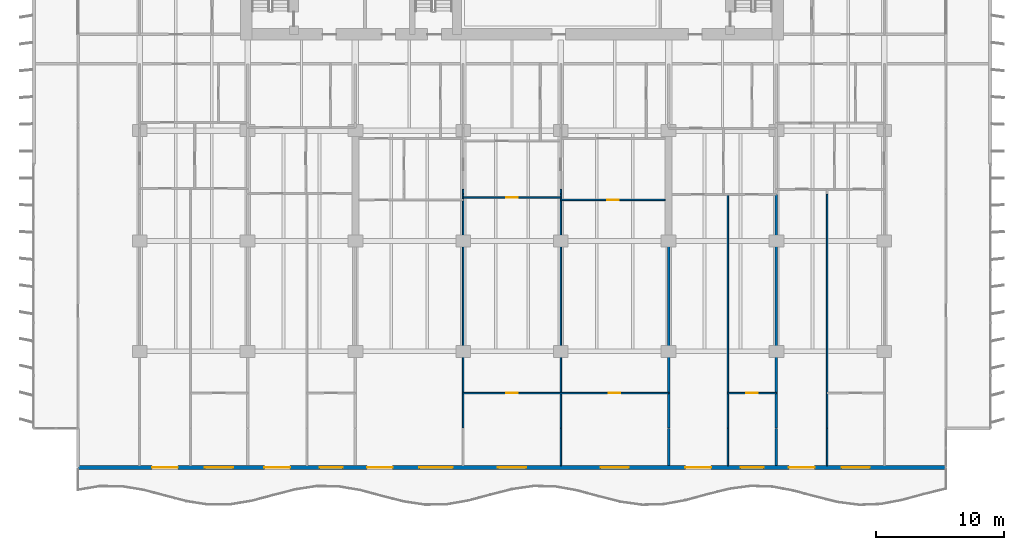
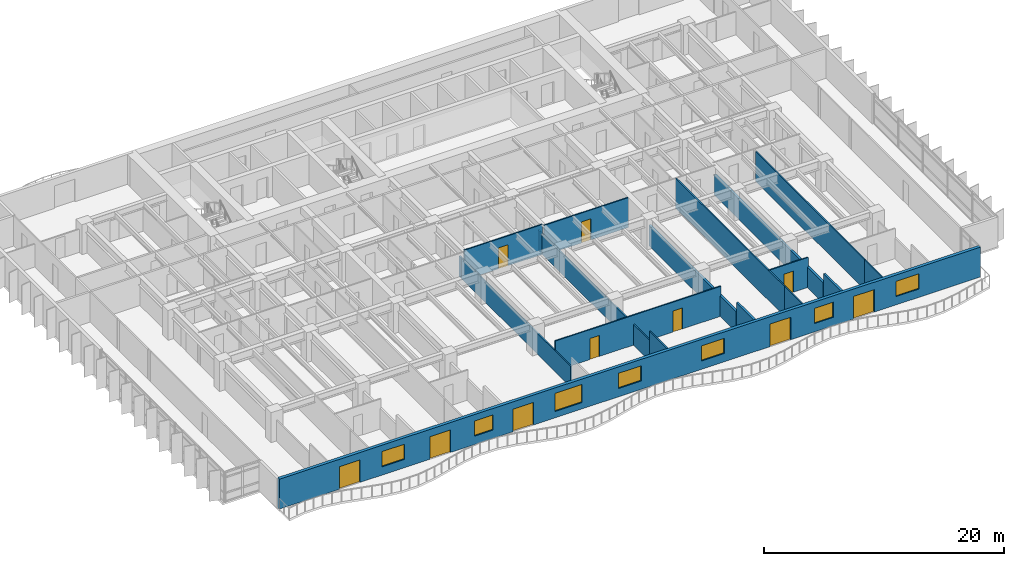
# One storey, part 8 of 17: 18 walls, 10 doors, 7 windows, 17 openings.
"""IFC4 building model written with IfcOpenShell, lengths in metres."""

from ifc_helpers import new_model, si_unit, direction, frame, frame_2d, origin, place, context, subcontext, project, spatial, rectangle, extrude, material, layer, layer_set, type_object, element, fill, save


model = new_model("IFC4")

# Units and contexts
model_context = context("Model", 3, precision=1e-05, world=origin(), true_north=direction((0.0, 1.0)))
body_context = subcontext(model_context, "Body", "Model", "MODEL_VIEW")
ifc_project = project(units=[si_unit("LENGTHUNIT", "METRE"), si_unit("AREAUNIT", "SQUARE_METRE"), si_unit("VOLUMEUNIT", "CUBIC_METRE"), si_unit("PLANEANGLEUNIT", "RADIAN"), si_unit("MASSUNIT", "GRAM", prefix="KILO")], contexts=[model_context])

# Site, building, storey
site_placement = place(None, origin())
site = spatial("IfcSite", under=ifc_project, at=site_placement, CompositionType="ELEMENT")
building_placement = place(site_placement, origin())
building = spatial("IfcBuilding", under=site, at=building_placement, Name="Caelmar Bay Residences", CompositionType="ELEMENT")
storey_placement = place(building_placement, frame((0.0, 0.0, 49.800048828125)))
storey = spatial("IfcBuildingStorey", under=building, at=storey_placement, Name="L12", CompositionType="ELEMENT", Elevation=49.800048828125)

# Wall, openings, doors, windows
ifc_material_1 = material(Name="Precast concrete f'c 40 MPa (6,000 psi)", Category="concrete")
ifc_layer_1 = layer(ifc_material_1, 0.300048828125)
ifc_layer_set_1 = layer_set([ifc_layer_1], Name="Precast concrete f'c 40 MPa (6,000 psi)")
wall_type_1 = type_object("IfcWallType", Name="W-EXT-300", PredefinedType="STANDARD", material=ifc_layer_set_1)
wall_1_placement = place(storey_placement, frame((72.699951171875, 3.14990234375, 0.0), z_axis=(0.0, 0.0, 1.0), x_axis=(-1.0, 0.0, 0.0)))
wall_1 = element("IfcWall", 1, at=wall_1_placement, inside=storey, type_object=wall_type_1, Name="L12 South Bayfront Exterior Wall", PredefinedType="STANDARD", context=body_context, shape_type="SweptSolid", body=[
    extrude(rectangle(XDim=67.599853515625, YDim=0.300048828125, at=frame_2d((33.7998046875, 0.0))), origin(), (0.0, 0.0, 1.0), 3.050048828125),
])
opening_1_placement = place(wall_1_placement, frame((59.825927734375, 0.0, 0.0)))
opening_1 = element("IfcOpeningElement", 2, at=opening_1_placement, cuts=wall_1, Name="Opening L12-BD01", PredefinedType="OPENING", context=body_context, shape_type="SweptSolid", body=[
    extrude(rectangle(XDim=2.0, YDim=2.300048828125, at=frame_2d((1.0, 1.14990234375))), frame((0.0, 0.159912109375, 0.0), z_axis=(0.0, -1.0, 0.0), x_axis=(1.0, 0.0, 0.0)), (0.0, 0.0, 1.0), 0.320068359375),
])
opening_2_placement = place(wall_1_placement, frame((55.52587890625, 0.0, 0.85009765625)))
opening_2 = element("IfcOpeningElement", 3, at=opening_2_placement, cuts=wall_1, Name="Opening WN2", PredefinedType="OPENING", context=body_context, shape_type="SweptSolid", body=[
    extrude(rectangle(XDim=2.199951171875, YDim=1.550048828125, at=frame_2d((1.10009765625, 0.77490234375))), frame((0.0, 0.159912109375, 0.0), z_axis=(0.0, -1.0, 0.0), x_axis=(1.0, 0.0, 0.0)), (0.0, 0.0, 1.0), 0.320068359375),
])
opening_3_placement = place(wall_1_placement, frame((51.090087890625, 0.0, 0.0)))
opening_3 = element("IfcOpeningElement", 4, at=opening_3_placement, cuts=wall_1, Name="Opening L12-BD02", PredefinedType="OPENING", context=body_context, shape_type="SweptSolid", body=[
    extrude(rectangle(XDim=2.0, YDim=2.300048828125, at=frame_2d((1.0, 1.14990234375))), frame((0.0, 0.159912109375, 0.0), z_axis=(0.0, -1.0, 0.0), x_axis=(1.0, 0.0, 0.0)), (0.0, 0.0, 1.0), 0.320068359375),
])
opening_4_placement = place(wall_1_placement, frame((46.989990234375, 0.0, 0.85009765625)))
opening_4 = element("IfcOpeningElement", 5, at=opening_4_placement, cuts=wall_1, Name="Opening WN1", PredefinedType="OPENING", context=body_context, shape_type="SweptSolid", body=[
    extrude(rectangle(XDim=1.800048828125, YDim=1.550048828125, at=frame_2d((0.89990234375, 0.77490234375))), frame((0.0, 0.159912109375, 0.0), z_axis=(0.0, -1.0, 0.0), x_axis=(1.0, 0.0, 0.0)), (0.0, 0.0, 1.0), 0.320068359375),
])
opening_5_placement = place(wall_1_placement, frame((43.090087890625, 0.0, 0.0)))
opening_5 = element("IfcOpeningElement", 6, at=opening_5_placement, cuts=wall_1, Name="Opening L12-BD03", PredefinedType="OPENING", context=body_context, shape_type="SweptSolid", body=[
    extrude(rectangle(XDim=2.0, YDim=2.300048828125, at=frame_2d((1.0, 1.14990234375))), frame((0.0, 0.159912109375, 0.0), z_axis=(0.0, -1.0, 0.0), x_axis=(1.0, 0.0, 0.0)), (0.0, 0.0, 1.0), 0.320068359375),
])
opening_6_placement = place(wall_1_placement, frame((38.409912109375, 0.0, 0.64990234375)))
opening_6 = element("IfcOpeningElement", 7, at=opening_6_placement, cuts=wall_1, Name="Opening WN3", PredefinedType="OPENING", context=body_context, shape_type="SweptSolid", body=[
    extrude(rectangle(XDim=2.60009765625, YDim=1.85009765625, at=frame_2d((1.300048828125, 0.925048828125))), frame((0.0, 0.159912109375, 0.0), z_axis=(0.0, -1.0, 0.0), x_axis=(1.0, 0.0, 0.0)), (0.0, 0.0, 1.0), 0.320068359375),
])
opening_7_placement = place(wall_1_placement, frame((32.699951171875, 0.0, 0.85009765625)))
opening_7 = element("IfcOpeningElement", 8, at=opening_7_placement, cuts=wall_1, Name="Opening WN2", PredefinedType="OPENING", context=body_context, shape_type="SweptSolid", body=[
    extrude(rectangle(XDim=2.199951171875, YDim=1.550048828125, at=frame_2d((1.10009765625, 0.77490234375))), frame((0.0, 0.159912109375, 0.0), z_axis=(0.0, -1.0, 0.0), x_axis=(1.0, 0.0, 0.0)), (0.0, 0.0, 1.0), 0.320068359375),
])
opening_8_placement = place(wall_1_placement, frame((24.699951171875, 0.0, 0.85009765625)))
opening_8 = element("IfcOpeningElement", 9, at=opening_8_placement, cuts=wall_1, Name="Opening WN2", PredefinedType="OPENING", context=body_context, shape_type="SweptSolid", body=[
    extrude(rectangle(XDim=2.199951171875, YDim=1.550048828125, at=frame_2d((1.10009765625, 0.77490234375))), frame((0.0, 0.159912109375, 0.0), z_axis=(0.0, -1.0, 0.0), x_axis=(1.0, 0.0, 0.0)), (0.0, 0.0, 1.0), 0.320068359375),
])
opening_9_placement = place(wall_1_placement, frame((18.2900390625, 0.0, 0.0)))
opening_9 = element("IfcOpeningElement", 10, at=opening_9_placement, cuts=wall_1, Name="Opening L12-BD04", PredefinedType="OPENING", context=body_context, shape_type="SweptSolid", body=[
    extrude(rectangle(XDim=2.0, YDim=2.300048828125, at=frame_2d((1.0, 1.14990234375))), frame((0.0, 0.159912109375, 0.0), z_axis=(0.0, -1.0, 0.0), x_axis=(1.0, 0.0, 0.0)), (0.0, 0.0, 1.0), 0.320068359375),
])
opening_10_placement = place(wall_1_placement, frame((14.18994140625, 0.0, 0.85009765625)))
opening_10 = element("IfcOpeningElement", 11, at=opening_10_placement, cuts=wall_1, Name="Opening WN1", PredefinedType="OPENING", context=body_context, shape_type="SweptSolid", body=[
    extrude(rectangle(XDim=1.800048828125, YDim=1.550048828125, at=frame_2d((0.89990234375, 0.77490234375))), frame((0.0, 0.159912109375, 0.0), z_axis=(0.0, -1.0, 0.0), x_axis=(1.0, 0.0, 0.0)), (0.0, 0.0, 1.0), 0.320068359375),
])
opening_11_placement = place(wall_1_placement, frame((10.22607421875, 0.0, 0.0)))
opening_11 = element("IfcOpeningElement", 12, at=opening_11_placement, cuts=wall_1, Name="Opening L12-BD05", PredefinedType="OPENING", context=body_context, shape_type="SweptSolid", body=[
    extrude(rectangle(XDim=2.0, YDim=2.300048828125, at=frame_2d((1.0, 1.14990234375))), frame((0.0, 0.159912109375, 0.0), z_axis=(0.0, -1.0, 0.0), x_axis=(1.0, 0.0, 0.0)), (0.0, 0.0, 1.0), 0.320068359375),
])
opening_12_placement = place(wall_1_placement, frame((5.926025390625, 0.0, 0.85009765625)))
opening_12 = element("IfcOpeningElement", 13, at=opening_12_placement, cuts=wall_1, Name="Opening WN2", PredefinedType="OPENING", context=body_context, shape_type="SweptSolid", body=[
    extrude(rectangle(XDim=2.199951171875, YDim=1.550048828125, at=frame_2d((1.10009765625, 0.77490234375))), frame((0.0, 0.159912109375, 0.0), z_axis=(0.0, -1.0, 0.0), x_axis=(1.0, 0.0, 0.0)), (0.0, 0.0, 1.0), 0.320068359375),
])
ifc_material_2 = material(Name="Anodised bronze thermally broken sliding glass door", Category="glass")
ifc_layer_2 = layer(ifc_material_2, 0.050048828125)
ifc_layer_set_2 = layer_set([ifc_layer_2], Name="Anodised bronze thermally broken sliding glass door")
door_type_1 = type_object("IfcDoorType", Name="D-BAL-2000", OperationType="DOUBLE_DOOR_SLIDING", PredefinedType="DOOR", material=ifc_layer_set_2)
door_1_placement = place(opening_1_placement, origin())
door_1 = element("IfcDoor", 14, at=door_1_placement, inside=storey, type_object=door_type_1, Name="L12 Residence 01 Penthouse Living Salon Balcony Door", OperationType="DOUBLE_DOOR_SLIDING", OverallHeight=2.300048828125, OverallWidth=2.0, PredefinedType="DOOR", context=body_context, shape_type="SweptSolid", body=[
    extrude(rectangle(XDim=2.0, YDim=2.300048828125, at=frame_2d((1.0, 1.14990234375))), frame((0.0, 0.02490234375, 0.0), z_axis=(0.0, -1.0, 0.0), x_axis=(1.0, 0.0, 0.0)), (0.0, 0.0, 1.0), 0.050048828125),
])
fill(opening_1, door_1)
door_2_placement = place(opening_3_placement, origin())
door_2 = element("IfcDoor", 15, at=door_2_placement, inside=storey, type_object=door_type_1, Name="L12 Residence 02 Penthouse Living Salon Balcony Door", OperationType="DOUBLE_DOOR_SLIDING", OverallHeight=2.300048828125, OverallWidth=2.0, PredefinedType="DOOR", context=body_context, shape_type="SweptSolid", body=[
    extrude(rectangle(XDim=2.0, YDim=2.300048828125, at=frame_2d((1.0, 1.14990234375))), frame((0.0, 0.02490234375, 0.0), z_axis=(0.0, -1.0, 0.0), x_axis=(1.0, 0.0, 0.0)), (0.0, 0.0, 1.0), 0.050048828125),
])
fill(opening_3, door_2)
door_3_placement = place(opening_5_placement, origin())
door_3 = element("IfcDoor", 16, at=door_3_placement, inside=storey, type_object=door_type_1, Name="L12 Residence 03 Penthouse Living Salon Balcony Door", OperationType="DOUBLE_DOOR_SLIDING", OverallHeight=2.300048828125, OverallWidth=2.0, PredefinedType="DOOR", context=body_context, shape_type="SweptSolid", body=[
    extrude(rectangle(XDim=2.0, YDim=2.300048828125, at=frame_2d((1.0, 1.14990234375))), frame((0.0, 0.02490234375, 0.0), z_axis=(0.0, -1.0, 0.0), x_axis=(1.0, 0.0, 0.0)), (0.0, 0.0, 1.0), 0.050048828125),
])
fill(opening_5, door_3)
door_4_placement = place(opening_9_placement, origin())
door_4 = element("IfcDoor", 17, at=door_4_placement, inside=storey, type_object=door_type_1, Name="L12 Residence 04 Penthouse Living Salon Balcony Door", OperationType="DOUBLE_DOOR_SLIDING", OverallHeight=2.300048828125, OverallWidth=2.0, PredefinedType="DOOR", context=body_context, shape_type="SweptSolid", body=[
    extrude(rectangle(XDim=2.0, YDim=2.300048828125, at=frame_2d((1.0, 1.14990234375))), frame((0.0, 0.02490234375, 0.0), z_axis=(0.0, -1.0, 0.0), x_axis=(1.0, 0.0, 0.0)), (0.0, 0.0, 1.0), 0.050048828125),
])
fill(opening_9, door_4)
door_5_placement = place(opening_11_placement, origin())
door_5 = element("IfcDoor", 18, at=door_5_placement, inside=storey, type_object=door_type_1, Name="L12 Residence 05 Penthouse Living Salon Balcony Door", OperationType="DOUBLE_DOOR_SLIDING", OverallHeight=2.300048828125, OverallWidth=2.0, PredefinedType="DOOR", context=body_context, shape_type="SweptSolid", body=[
    extrude(rectangle(XDim=2.0, YDim=2.300048828125, at=frame_2d((1.0, 1.14990234375))), frame((0.0, 0.02490234375, 0.0), z_axis=(0.0, -1.0, 0.0), x_axis=(1.0, 0.0, 0.0)), (0.0, 0.0, 1.0), 0.050048828125),
])
fill(opening_11, door_5)
ifc_material_3 = material(Name="Bronze aluminium frame with laminated low-E glass", Category="aluminium")
ifc_layer_3 = layer(ifc_material_3, 0.06005859375)
ifc_layer_set_3 = layer_set([ifc_layer_3], Name="Bronze aluminium frame with laminated low-E glass")
window_type_1 = type_object("IfcWindowType", Name="WIN-BR-1800", PartitioningType="SINGLE_PANEL", PredefinedType="WINDOW", material=ifc_layer_set_3)
window_1_placement = place(opening_4_placement, origin())
window_1 = element("IfcWindow", 19, at=window_1_placement, inside=storey, type_object=window_type_1, Name="L12 Residence 02 Primary Bedroom Window", OverallHeight=1.550048828125, OverallWidth=1.800048828125, PartitioningType="SINGLE_PANEL", PredefinedType="WINDOW", context=body_context, shape_type="SweptSolid", body=[
    extrude(rectangle(XDim=1.800048828125, YDim=1.550048828125, at=frame_2d((0.89990234375, 0.77490234375))), frame((0.0, 0.030029296875, 0.0), z_axis=(0.0, -1.0, 0.0), x_axis=(1.0, 0.0, 0.0)), (0.0, 0.0, 1.0), 0.06005859375),
])
fill(opening_4, window_1)
window_2_placement = place(opening_10_placement, origin())
window_2 = element("IfcWindow", 20, at=window_2_placement, inside=storey, type_object=window_type_1, Name="L12 Residence 04 Primary Bedroom Window", OverallHeight=1.550048828125, OverallWidth=1.800048828125, PartitioningType="SINGLE_PANEL", PredefinedType="WINDOW", context=body_context, shape_type="SweptSolid", body=[
    extrude(rectangle(XDim=1.800048828125, YDim=1.550048828125, at=frame_2d((0.89990234375, 0.77490234375))), frame((0.0, 0.030029296875, 0.0), z_axis=(0.0, -1.0, 0.0), x_axis=(1.0, 0.0, 0.0)), (0.0, 0.0, 1.0), 0.06005859375),
])
fill(opening_10, window_2)
ifc_layer_4 = layer(ifc_material_3, 0.06005859375)
ifc_layer_set_4 = layer_set([ifc_layer_4], Name="Bronze aluminium frame with laminated low-E glass")
window_type_2 = type_object("IfcWindowType", Name="WIN-BR-2200", PartitioningType="SINGLE_PANEL", PredefinedType="WINDOW", material=ifc_layer_set_4)
window_3_placement = place(opening_2_placement, origin())
window_3 = element("IfcWindow", 21, at=window_3_placement, inside=storey, type_object=window_type_2, Name="L12 Residence 01 Primary Bedroom Window", OverallHeight=1.550048828125, OverallWidth=2.199951171875, PartitioningType="SINGLE_PANEL", PredefinedType="WINDOW", context=body_context, shape_type="SweptSolid", body=[
    extrude(rectangle(XDim=2.199951171875, YDim=1.550048828125, at=frame_2d((1.10009765625, 0.77490234375))), frame((0.0, 0.030029296875, 0.0), z_axis=(0.0, -1.0, 0.0), x_axis=(1.0, 0.0, 0.0)), (0.0, 0.0, 1.0), 0.06005859375),
])
fill(opening_2, window_3)
window_4_placement = place(opening_7_placement, origin())
window_4 = element("IfcWindow", 22, at=window_4_placement, inside=storey, type_object=window_type_2, Name="L12 Residence 03 Primary Bedroom 1 Window", OverallHeight=1.550048828125, OverallWidth=2.199951171875, PartitioningType="SINGLE_PANEL", PredefinedType="WINDOW", context=body_context, shape_type="SweptSolid", body=[
    extrude(rectangle(XDim=2.199951171875, YDim=1.550048828125, at=frame_2d((1.10009765625, 0.77490234375))), frame((0.0, 0.030029296875, 0.0), z_axis=(0.0, -1.0, 0.0), x_axis=(1.0, 0.0, 0.0)), (0.0, 0.0, 1.0), 0.06005859375),
])
fill(opening_7, window_4)
window_5_placement = place(opening_8_placement, origin())
window_5 = element("IfcWindow", 23, at=window_5_placement, inside=storey, type_object=window_type_2, Name="L12 Residence 03 Primary Bedroom 2 Window", OverallHeight=1.550048828125, OverallWidth=2.199951171875, PartitioningType="SINGLE_PANEL", PredefinedType="WINDOW", context=body_context, shape_type="SweptSolid", body=[
    extrude(rectangle(XDim=2.199951171875, YDim=1.550048828125, at=frame_2d((1.10009765625, 0.77490234375))), frame((0.0, 0.030029296875, 0.0), z_axis=(0.0, -1.0, 0.0), x_axis=(1.0, 0.0, 0.0)), (0.0, 0.0, 1.0), 0.06005859375),
])
fill(opening_8, window_5)
window_6_placement = place(opening_12_placement, origin())
window_6 = element("IfcWindow", 24, at=window_6_placement, inside=storey, type_object=window_type_2, Name="L12 Residence 05 Primary Bedroom Window", OverallHeight=1.550048828125, OverallWidth=2.199951171875, PartitioningType="SINGLE_PANEL", PredefinedType="WINDOW", context=body_context, shape_type="SweptSolid", body=[
    extrude(rectangle(XDim=2.199951171875, YDim=1.550048828125, at=frame_2d((1.10009765625, 0.77490234375))), frame((0.0, 0.030029296875, 0.0), z_axis=(0.0, -1.0, 0.0), x_axis=(1.0, 0.0, 0.0)), (0.0, 0.0, 1.0), 0.06005859375),
])
fill(opening_12, window_6)
ifc_layer_5 = layer(ifc_material_3, 0.06005859375)
ifc_layer_set_5 = layer_set([ifc_layer_5], Name="Bronze aluminium frame with laminated low-E glass")
window_type_3 = type_object("IfcWindowType", Name="WIN-LIV-2600", PartitioningType="SINGLE_PANEL", PredefinedType="WINDOW", material=ifc_layer_set_5)
window_7_placement = place(opening_6_placement, origin())
window_7 = element("IfcWindow", 25, at=window_7_placement, inside=storey, type_object=window_type_3, Name="L12 Residence 03 Penthouse Living Salon Panoramic Window", OverallHeight=1.85009765625, OverallWidth=2.60009765625, PartitioningType="SINGLE_PANEL", PredefinedType="WINDOW", context=body_context, shape_type="SweptSolid", body=[
    extrude(rectangle(XDim=2.60009765625, YDim=1.85009765625, at=frame_2d((1.300048828125, 0.925048828125))), frame((0.0, 0.030029296875, 0.0), z_axis=(0.0, -1.0, 0.0), x_axis=(1.0, 0.0, 0.0)), (0.0, 0.0, 1.0), 0.06005859375),
])
fill(opening_6, window_7)

# Walls
ifc_material_4 = material(Name="Acoustic metal-stud gypsum partition 120 mm")
ifc_layer_6 = layer(ifc_material_4, 0.1201171875)
ifc_layer_set_6 = layer_set([ifc_layer_6], Name="Acoustic metal-stud gypsum partition 120 mm")
wall_type_2 = type_object("IfcWallType", Name="W-PRT-120", PredefinedType="PARTITIONING", material=ifc_layer_set_6)
wall_2_placement = place(storey_placement, frame((35.10009765625, 6.239990234375, 0.0), z_axis=(0.0, 0.0, 1.0), x_axis=(0.0, 1.0, 0.0)))
element("IfcWall", 26, at=wall_2_placement, inside=storey, type_object=wall_type_2, Name="L12 Partition Wall V049", PredefinedType="PARTITIONING", context=body_context, shape_type="SweptSolid", body=[
    extrude(rectangle(XDim=18.18994140625, YDim=0.1201171875, at=frame_2d((9.094970703125, 0.0))), origin(), (0.0, 0.0, 1.0), 2.10986328125),
])
wall_3_placement = place(storey_placement, frame((35.10009765625, 24.489990234375, 0.0), z_axis=(0.0, 0.0, 1.0), x_axis=(0.0, 1.0, 0.0)))
element("IfcWall", 27, at=wall_3_placement, inside=storey, type_object=wall_type_2, Name="L12 Partition Wall V050", PredefinedType="PARTITIONING", context=body_context, shape_type="SweptSolid", body=[
    extrude(rectangle(XDim=0.340087890625, YDim=0.1201171875, at=frame_2d((0.169921875, 0.0))), origin(), (0.0, 0.0, 1.0), 2.10986328125),
])
wall_4_placement = place(storey_placement, frame((42.699951171875, 3.294921875, 0.0), z_axis=(0.0, 0.0, 1.0), x_axis=(0.0, 1.0, 0.0)))
element("IfcWall", 28, at=wall_4_placement, inside=storey, type_object=wall_type_2, Name="L12 Partition Wall V060", PredefinedType="PARTITIONING", context=body_context, shape_type="SweptSolid", body=[
    extrude(rectangle(XDim=2.905029296875, YDim=0.1201171875, at=frame_2d((1.45263671875, 0.0))), origin(), (0.0, 0.0, 1.0), 3.050048828125),
])
wall_5_placement = place(storey_placement, frame((42.699951171875, 6.239990234375, 0.0), z_axis=(0.0, 0.0, 1.0), x_axis=(0.0, 1.0, 0.0)))
element("IfcWall", 29, at=wall_5_placement, inside=storey, type_object=wall_type_2, Name="L12 Partition Wall V061", PredefinedType="PARTITIONING", context=body_context, shape_type="SweptSolid", body=[
    extrude(rectangle(XDim=18.18994140625, YDim=0.1201171875, at=frame_2d((9.094970703125, 0.0))), origin(), (0.0, 0.0, 1.0), 2.10986328125),
])
wall_6_placement = place(storey_placement, frame((42.699951171875, 24.489990234375, 0.0), z_axis=(0.0, 0.0, 1.0), x_axis=(0.0, 1.0, 0.0)))
element("IfcWall", 30, at=wall_6_placement, inside=storey, type_object=wall_type_2, Name="L12 Partition Wall V062", PredefinedType="PARTITIONING", context=body_context, shape_type="SweptSolid", body=[
    extrude(rectangle(XDim=0.340087890625, YDim=0.1201171875, at=frame_2d((0.169921875, 0.0))), origin(), (0.0, 0.0, 1.0), 2.10986328125),
])
wall_7_placement = place(storey_placement, frame((55.719970703125, 3.294921875, 0.0), z_axis=(0.0, 0.0, 1.0), x_axis=(0.0, 1.0, 0.0)))
element("IfcWall", 31, at=wall_7_placement, inside=storey, type_object=wall_type_2, Name="L12 Partition Wall V081", PredefinedType="PARTITIONING", context=body_context, shape_type="SweptSolid", body=[
    extrude(rectangle(XDim=2.905029296875, YDim=0.1201171875, at=frame_2d((1.45263671875, 0.0))), origin(), (0.0, 0.0, 1.0), 3.050048828125),
])
wall_8_placement = place(storey_placement, frame((55.719970703125, 6.239990234375, 0.0), z_axis=(0.0, 0.0, 1.0), x_axis=(0.0, 1.0, 0.0)))
element("IfcWall", 32, at=wall_8_placement, inside=storey, type_object=wall_type_2, Name="L12 Partition Wall V082", PredefinedType="PARTITIONING", context=body_context, shape_type="SweptSolid", body=[
    extrude(rectangle(XDim=18.18994140625, YDim=0.1201171875, at=frame_2d((9.094970703125, 0.0))), origin(), (0.0, 0.0, 1.0), 3.050048828125),
])
wall_9_placement = place(storey_placement, frame((63.447998046875, 3.294921875, 0.0), z_axis=(0.0, 0.0, 1.0), x_axis=(0.0, 1.0, 0.0)))
element("IfcWall", 33, at=wall_9_placement, inside=storey, type_object=wall_type_2, Name="L12 Partition Wall V093", PredefinedType="PARTITIONING", context=body_context, shape_type="SweptSolid", body=[
    extrude(rectangle(XDim=2.905029296875, YDim=0.1201171875, at=frame_2d((1.45263671875, 0.0))), origin(), (0.0, 0.0, 1.0), 3.050048828125),
])
wall_10_placement = place(storey_placement, frame((63.447998046875, 6.239990234375, 0.0), z_axis=(0.0, 0.0, 1.0), x_axis=(0.0, 1.0, 0.0)))
element("IfcWall", 34, at=wall_10_placement, inside=storey, type_object=wall_type_2, Name="L12 Partition Wall V094", PredefinedType="PARTITIONING", context=body_context, shape_type="SweptSolid", body=[
    extrude(rectangle(XDim=18.18994140625, YDim=0.1201171875, at=frame_2d((9.094970703125, 0.0))), origin(), (0.0, 0.0, 1.0), 3.050048828125),
])

# Wall, openings, doors
wall_11_placement = place(storey_placement, frame((35.10009765625, 8.949951171875, 0.0), z_axis=(0.0, 0.0, 1.0), x_axis=(1.0, 0.0, 0.0)))
wall_11 = element("IfcWall", 35, at=wall_11_placement, inside=storey, type_object=wall_type_2, Name="L12 Partition Wall H115", PredefinedType="PARTITIONING", context=body_context, shape_type="SweptSolid", body=[
    extrude(rectangle(XDim=16.0, YDim=0.1201171875, at=frame_2d((8.0, 0.0))), origin(), (0.0, 0.0, 1.0), 3.050048828125),
])
opening_13_placement = place(wall_11_placement, frame((3.35009765625, 0.0, 0.0)))
opening_13 = element("IfcOpeningElement", 36, at=opening_13_placement, cuts=wall_11, Name="Opening D-L12-143", PredefinedType="OPENING", context=body_context, shape_type="SweptSolid", body=[
    extrude(rectangle(XDim=0.89990234375, YDim=2.14990234375, at=frame_2d((0.449951171875, 1.074951171875))), frame((0.0, 0.070068359375, 0.0), z_axis=(0.0, -1.0, 0.0), x_axis=(1.0, 0.0, 0.0)), (0.0, 0.0, 1.0), 0.14013671875),
])
opening_14_placement = place(wall_11_placement, frame((11.35009765625, 0.0, 0.0)))
opening_14 = element("IfcOpeningElement", 37, at=opening_14_placement, cuts=wall_11, Name="Opening D-L12-148", PredefinedType="OPENING", context=body_context, shape_type="SweptSolid", body=[
    extrude(rectangle(XDim=0.89990234375, YDim=2.14990234375, at=frame_2d((0.449951171875, 1.074951171875))), frame((0.0, 0.070068359375, 0.0), z_axis=(0.0, -1.0, 0.0), x_axis=(1.0, 0.0, 0.0)), (0.0, 0.0, 1.0), 0.14013671875),
])
ifc_material_5 = material(Name="Solid walnut timber interior door leaf and frame", Category="wood")
ifc_layer_7 = layer(ifc_material_5, 0.050048828125)
ifc_layer_set_7 = layer_set([ifc_layer_7], Name="Solid walnut timber interior door leaf and frame")
door_type_2 = type_object("IfcDoorType", Name="D-ROOM-900", OperationType="NOTDEFINED", PredefinedType="DOOR", material=ifc_layer_set_7)
door_6_placement = place(opening_13_placement, origin())
door_6 = element("IfcDoor", 38, at=door_6_placement, inside=storey, type_object=door_type_2, Name="L12 Residence 03 Primary Bedroom 1 Door", OperationType="SINGLE_SWING_RIGHT", OverallHeight=2.14990234375, OverallWidth=0.89990234375, PredefinedType="DOOR", context=body_context, shape_type="SweptSolid", body=[
    extrude(rectangle(XDim=0.89990234375, YDim=2.14990234375, at=frame_2d((0.449951171875, 1.074951171875))), frame((0.0, 0.02490234375, 0.0), z_axis=(0.0, -1.0, 0.0), x_axis=(1.0, 0.0, 0.0)), (0.0, 0.0, 1.0), 0.050048828125),
])
fill(opening_13, door_6)
door_7_placement = place(opening_14_placement, origin())
door_7 = element("IfcDoor", 39, at=door_7_placement, inside=storey, type_object=door_type_2, Name="L12 Residence 03 Primary Bedroom 2 Door", OperationType="SINGLE_SWING_LEFT", OverallHeight=2.14990234375, OverallWidth=0.89990234375, PredefinedType="DOOR", context=body_context, shape_type="SweptSolid", body=[
    extrude(rectangle(XDim=0.89990234375, YDim=2.14990234375, at=frame_2d((0.449951171875, 1.074951171875))), frame((0.0, 0.02490234375, 0.0), z_axis=(0.0, -1.0, 0.0), x_axis=(1.0, 0.0, 0.0)), (0.0, 0.0, 1.0), 0.050048828125),
])
fill(opening_14, door_7)

# Wall, opening, door
wall_12_placement = place(storey_placement, frame((55.719970703125, 8.949951171875, 0.0), z_axis=(0.0, 0.0, 1.0), x_axis=(1.0, 0.0, 0.0)))
wall_12 = element("IfcWall", 40, at=wall_12_placement, inside=storey, type_object=wall_type_2, Name="L12 Partition Wall H116", PredefinedType="PARTITIONING", context=body_context, shape_type="SweptSolid", body=[
    extrude(rectangle(XDim=3.780029296875, YDim=0.1201171875, at=frame_2d((1.89013671875, 0.0))), origin(), (0.0, 0.0, 1.0), 3.050048828125),
])
opening_15_placement = place(wall_12_placement, frame((1.43994140625, 0.0, 0.0)))
opening_15 = element("IfcOpeningElement", 41, at=opening_15_placement, cuts=wall_12, Name="Opening D-L12-155", PredefinedType="OPENING", context=body_context, shape_type="SweptSolid", body=[
    extrude(rectangle(XDim=0.89990234375, YDim=2.14990234375, at=frame_2d((0.449951171875, 1.074951171875))), frame((0.0, 0.070068359375, 0.0), z_axis=(0.0, -1.0, 0.0), x_axis=(1.0, 0.0, 0.0)), (0.0, 0.0, 1.0), 0.14013671875),
])
door_8_placement = place(opening_15_placement, origin())
door_8 = element("IfcDoor", 42, at=door_8_placement, inside=storey, type_object=door_type_2, Name="L12 Residence 04 Primary Bedroom Door", OperationType="SINGLE_SWING_RIGHT", OverallHeight=2.14990234375, OverallWidth=0.89990234375, PredefinedType="DOOR", context=body_context, shape_type="SweptSolid", body=[
    extrude(rectangle(XDim=0.89990234375, YDim=2.14990234375, at=frame_2d((0.449951171875, 1.074951171875))), frame((0.0, 0.02490234375, 0.0), z_axis=(0.0, -1.0, 0.0), x_axis=(1.0, 0.0, 0.0)), (0.0, 0.0, 1.0), 0.050048828125),
])
fill(opening_15, door_8)

wall_13_placement = place(storey_placement, frame((42.699951171875, 24.0, 0.0), z_axis=(0.0, 0.0, 1.0), x_axis=(1.0, 0.0, 0.0)))
wall_13 = element("IfcWall", 43, at=wall_13_placement, inside=storey, type_object=wall_type_2, Name="L12 Partition Wall H119", PredefinedType="PARTITIONING", context=body_context, shape_type="SweptSolid", body=[
    extrude(rectangle(XDim=8.130126953125, YDim=0.1201171875, at=frame_2d((4.06494140625, 0.0))), origin(), (0.0, 0.0, 1.0), 3.050048828125),
])
opening_16_placement = place(wall_13_placement, frame((3.614990234375, 0.0, 0.0)))
opening_16 = element("IfcOpeningElement", 44, at=opening_16_placement, cuts=wall_13, Name="Opening D-L12-147", PredefinedType="OPENING", context=body_context, shape_type="SweptSolid", body=[
    extrude(rectangle(XDim=0.89990234375, YDim=2.14990234375, at=frame_2d((0.449951171875, 1.074951171875))), frame((0.0, 0.070068359375, 0.0), z_axis=(0.0, -1.0, 0.0), x_axis=(1.0, 0.0, 0.0)), (0.0, 0.0, 1.0), 0.14013671875),
])
door_9_placement = place(opening_16_placement, origin())
door_9 = element("IfcDoor", 45, at=door_9_placement, inside=storey, type_object=door_type_2, Name="L12 Residence 03 Penthouse Sitting Salon 2 Door", OperationType="SINGLE_SWING_RIGHT", OverallHeight=2.14990234375, OverallWidth=0.89990234375, PredefinedType="DOOR", context=body_context, shape_type="SweptSolid", body=[
    extrude(rectangle(XDim=0.89990234375, YDim=2.14990234375, at=frame_2d((0.449951171875, 1.074951171875))), frame((0.0, 0.02490234375, 0.0), z_axis=(0.0, -1.0, 0.0), x_axis=(1.0, 0.0, 0.0)), (0.0, 0.0, 1.0), 0.050048828125),
])
fill(opening_16, door_9)

wall_14_placement = place(storey_placement, frame((35.10498046875, 24.199951171875, 0.0), z_axis=(0.0, 0.0, 1.0), x_axis=(1.0, 0.0, 0.0)))
wall_14 = element("IfcWall", 46, at=wall_14_placement, inside=storey, type_object=wall_type_2, Name="L12 Partition Wall H120", PredefinedType="PARTITIONING", context=body_context, shape_type="SweptSolid", body=[
    extrude(rectangle(XDim=7.590087890625, YDim=0.1201171875, at=frame_2d((3.794921875, 0.0))), origin(), (0.0, 0.0, 1.0), 3.050048828125),
])
opening_17_placement = place(wall_14_placement, frame((3.344970703125, 0.0, 0.0)))
opening_17 = element("IfcOpeningElement", 47, at=opening_17_placement, cuts=wall_14, Name="Opening D-L12-142", PredefinedType="OPENING", context=body_context, shape_type="SweptSolid", body=[
    extrude(rectangle(XDim=0.89990234375, YDim=2.14990234375, at=frame_2d((0.449951171875, 1.074951171875))), frame((0.0, 0.070068359375, 0.0), z_axis=(0.0, -1.0, 0.0), x_axis=(1.0, 0.0, 0.0)), (0.0, 0.0, 1.0), 0.14013671875),
])
door_10_placement = place(opening_17_placement, origin())
door_10 = element("IfcDoor", 48, at=door_10_placement, inside=storey, type_object=door_type_2, Name="L12 Residence 03 Penthouse Sitting Salon 1 Door", OperationType="SINGLE_SWING_LEFT", OverallHeight=2.14990234375, OverallWidth=0.89990234375, PredefinedType="DOOR", context=body_context, shape_type="SweptSolid", body=[
    extrude(rectangle(XDim=0.89990234375, YDim=2.14990234375, at=frame_2d((0.449951171875, 1.074951171875))), frame((0.0, 0.02490234375, 0.0), z_axis=(0.0, -1.0, 0.0), x_axis=(1.0, 0.0, 0.0)), (0.0, 0.0, 1.0), 0.050048828125),
])
fill(opening_17, door_10)

# Walls
ifc_material_6 = material(Name="Acoustic twin-stud fire-rated inter-tenancy partition 200 mm")
ifc_layer_8 = layer(ifc_material_6, 0.199951171875)
ifc_layer_set_8 = layer_set([ifc_layer_8], Name="Acoustic twin-stud fire-rated inter-tenancy partition 200 mm")
wall_type_3 = type_object("IfcWallType", Name="W-PTY-200", PredefinedType="PARTITIONING", material=ifc_layer_set_8)
wall_15_placement = place(storey_placement, frame((51.10009765625, 3.294921875, 0.0), z_axis=(0.0, 0.0, 1.0), x_axis=(0.0, 1.0, 0.0)))
element("IfcWall", 49, at=wall_15_placement, inside=storey, type_object=wall_type_3, Name="L12 Partition Wall V074", PredefinedType="PARTITIONING", context=body_context, shape_type="SweptSolid", body=[
    extrude(rectangle(XDim=2.905029296875, YDim=0.199951171875, at=frame_2d((1.45263671875, 0.0))), origin(), (0.0, 0.0, 1.0), 3.050048828125),
])
wall_16_placement = place(storey_placement, frame((51.10009765625, 6.239990234375, 0.0), z_axis=(0.0, 0.0, 1.0), x_axis=(0.0, 1.0, 0.0)))
element("IfcWall", 50, at=wall_16_placement, inside=storey, type_object=wall_type_3, Name="L12 Partition Wall V075", PredefinedType="PARTITIONING", context=body_context, shape_type="SweptSolid", body=[
    extrude(rectangle(XDim=14.554931640625, YDim=0.199951171875, at=frame_2d((7.27734375, 0.0))), origin(), (0.0, 0.0, 1.0), 2.10986328125),
])
wall_17_placement = place(storey_placement, frame((59.5, 3.294921875, 0.0), z_axis=(0.0, 0.0, 1.0), x_axis=(0.0, 1.0, 0.0)))
element("IfcWall", 51, at=wall_17_placement, inside=storey, type_object=wall_type_3, Name="L12 Partition Wall V086", PredefinedType="PARTITIONING", context=body_context, shape_type="SweptSolid", body=[
    extrude(rectangle(XDim=2.905029296875, YDim=0.199951171875, at=frame_2d((1.45263671875, 0.0))), origin(), (0.0, 0.0, 1.0), 3.050048828125),
])
wall_18_placement = place(storey_placement, frame((59.5, 6.239990234375, 0.0), z_axis=(0.0, 0.0, 1.0), x_axis=(0.0, 1.0, 0.0)))
element("IfcWall", 52, at=wall_18_placement, inside=storey, type_object=wall_type_3, Name="L12 Partition Wall V087", PredefinedType="PARTITIONING", context=body_context, shape_type="SweptSolid", body=[
    extrude(rectangle(XDim=18.18994140625, YDim=0.199951171875, at=frame_2d((9.094970703125, 0.0))), origin(), (0.0, 0.0, 1.0), 2.10986328125),
])

save(model, "model.ifc")
